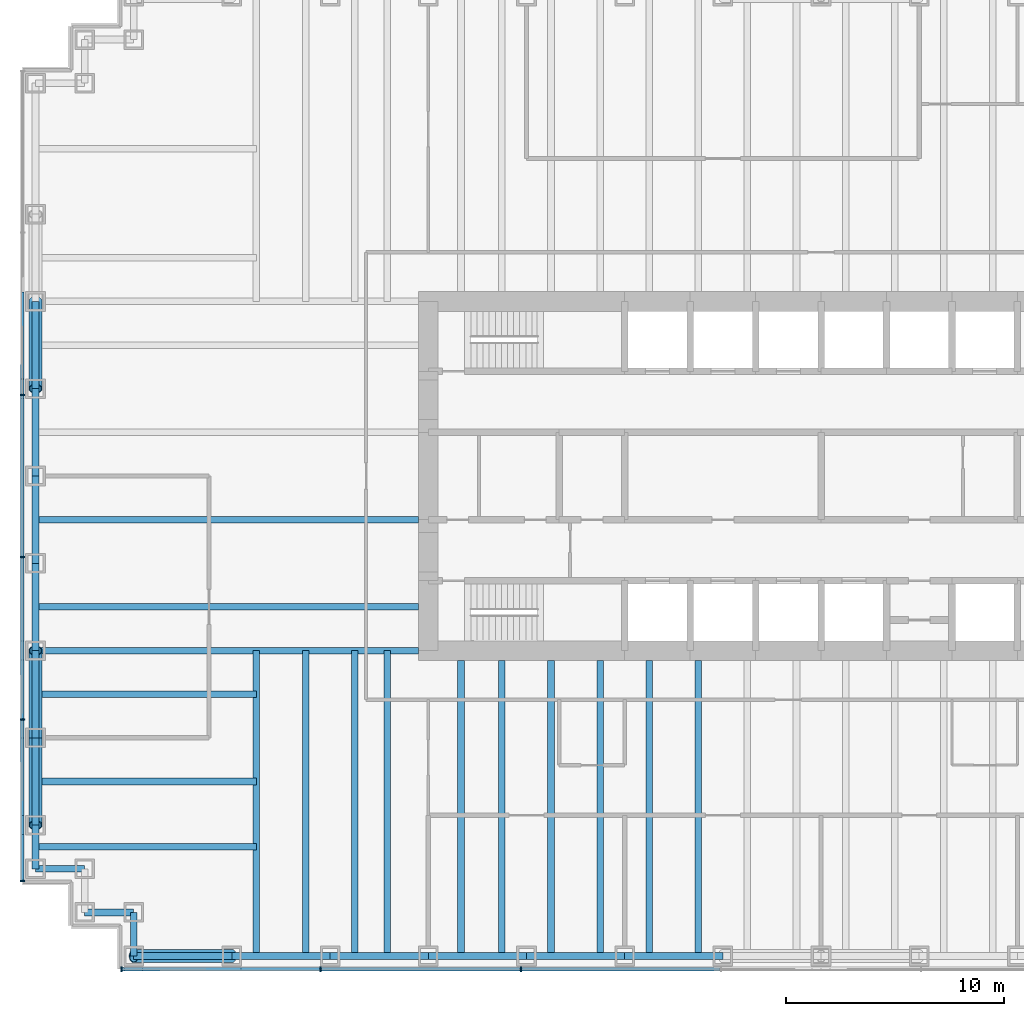
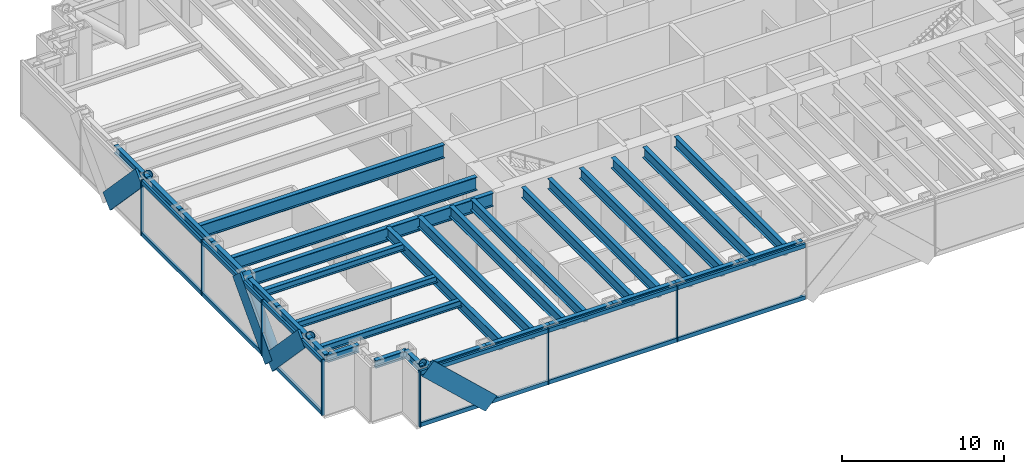
# One storey, part 2 of 15: 32 beams, 27 members, 2 elements without a shape of their own.
"""IFC4 building model written with IfcOpenShell, lengths in metres."""

from ifc_helpers import new_model, si_unit, direction, frame, origin, origin_2d, place, context, subcontext, project, spatial, rectangle, hollow_circle, i_section, extrude, material, material_profile, profile_set, type_object, element, aggregate, save


model = new_model("IFC4")

# Units and contexts
model_context = context("Model", 3, precision=1e-05, world=origin(), true_north=direction((0.0, 1.0)))
body_context = subcontext(model_context, "Body", "Model", "MODEL_VIEW")
ifc_project = project(units=[si_unit("LENGTHUNIT", "METRE"), si_unit("AREAUNIT", "SQUARE_METRE"), si_unit("VOLUMEUNIT", "CUBIC_METRE"), si_unit("PLANEANGLEUNIT", "RADIAN"), si_unit("MASSUNIT", "GRAM", prefix="KILO")], contexts=[model_context])

# Site, building, storey
site_placement = place(None, origin())
site = spatial("IfcSite", under=ifc_project, at=site_placement, CompositionType="ELEMENT")
building_placement = place(site_placement, origin())
building = spatial("IfcBuilding", under=site, at=building_placement, Name="Rheinbord Bourse Tower", CompositionType="ELEMENT")
storey_placement = place(building_placement, frame((0.0, 0.0, 150.89990234375)))
storey = spatial("IfcBuildingStorey", under=building, at=storey_placement, Name="L33", CompositionType="ELEMENT", Elevation=150.89990234375)

# Curtain wall, member
ifc_material_1 = material(Name="Dark glass and black aluminium", Category="aluminium")
curtain_wall_type = type_object("IfcCurtainWallType", Name="CW2 DARK GLASS CURTAIN WALL", PredefinedType="USERDEFINED", material=ifc_material_1)
curtain_wall_1_placement = place(storey_placement, origin())
curtain_wall_1 = element("IfcCurtainWall", 1, at=curtain_wall_1_placement, inside=storey, type_object=curtain_wall_type, Name="Curtain wall CW2 S L33", ObjectType="UNITISED CURTAIN WALL", PredefinedType="USERDEFINED")
ifc_material_2 = material(Name="Black anodised aluminium", Category="aluminium")
ifc_material_profile_1 = material_profile(ifc_material_2, rectangle(XDim=0.159912109375, YDim=1.2099609375, at=origin_2d()), Name="CW2 DIAGONAL MULLION 1210x160")
ifc_profile_set_1 = profile_set([ifc_material_profile_1], Name="Black anodised aluminium")
member_type_1 = type_object("IfcMemberType", Name="CW2 BLACK DIAGONAL MULLION", PredefinedType="USERDEFINED", material=ifc_profile_set_1)
member_1_placement = place(storey_placement, frame((9.0, 1.39990234375, 0.0), z_axis=(-0.731039441158, 0.0, 0.682335207557), x_axis=(0.0, -1.0, 0.0)))
member_1 = element("IfcMember", 2, at=member_1_placement, type_object=member_type_1, Name="CW2 diagonal mullion d", ObjectType="DIAGONAL MULLION", PredefinedType="USERDEFINED", context=body_context, shape_type="SweptSolid", body=[
    extrude(rectangle(XDim=0.159912109375, YDim=1.2099609375, at=origin_2d()), origin(), (0.0, 0.0, 1.0), 6.155517578125),
])

# Curtain wall, members
curtain_wall_2_placement = place(storey_placement, origin())
curtain_wall_2 = element("IfcCurtainWall", 3, at=curtain_wall_2_placement, inside=storey, type_object=curtain_wall_type, Name="Curtain wall CW2 W L33", ObjectType="UNITISED CURTAIN WALL", PredefinedType="USERDEFINED")
member_2_placement = place(storey_placement, frame((-0.60009765625, 12.0, 0.0), z_axis=(0.0, -0.689638355374, 0.72415394689), x_axis=(1.0, 0.0, 0.0)))
member_2 = element("IfcMember", 4, at=member_2_placement, type_object=member_type_1, Name="CW2 diagonal mullion a", ObjectType="DIAGONAL MULLION", PredefinedType="USERDEFINED", context=body_context, shape_type="SweptSolid", body=[
    extrude(rectangle(XDim=0.159912109375, YDim=1.2099609375, at=origin_2d()), origin(), (0.0, 0.0, 1.0), 5.800048828125),
])
member_3_placement = place(storey_placement, frame((-0.60009765625, 12.0, 0.0), z_axis=(0.0, 0.689638355374, 0.72415394689), x_axis=(-1.0, 0.0, 0.0)))
member_3 = element("IfcMember", 5, at=member_3_placement, type_object=member_type_1, Name="CW2 diagonal mullion c", ObjectType="DIAGONAL MULLION", PredefinedType="USERDEFINED", context=body_context, shape_type="SweptSolid", body=[
    extrude(rectangle(XDim=0.159912109375, YDim=1.2099609375, at=origin_2d()), origin(), (0.0, 0.0, 1.0), 5.800048828125),
])
member_4_placement = place(storey_placement, frame((-0.60009765625, 32.0, 0.0), z_axis=(0.0, -0.689638355374, 0.72415394689), x_axis=(1.0, 0.0, 0.0)))
member_4 = element("IfcMember", 6, at=member_4_placement, type_object=member_type_1, Name="CW2 diagonal mullion d", ObjectType="DIAGONAL MULLION", PredefinedType="USERDEFINED", context=body_context, shape_type="SweptSolid", body=[
    extrude(rectangle(XDim=0.159912109375, YDim=1.2099609375, at=origin_2d()), origin(), (0.0, 0.0, 1.0), 5.800048828125),
])

# Member
ifc_material_3 = material(Name="Black anodised aluminium", Category="aluminium")
ifc_material_profile_2 = material_profile(ifc_material_3, rectangle(XDim=0.219970703125, YDim=0.070068359375, at=origin_2d()), Name="CW2 MULLION 70x220")
ifc_profile_set_2 = profile_set([ifc_material_profile_2], Name="Black anodised aluminium")
member_type_2 = type_object("IfcMemberType", Name="CW2 BLACK MULLION", PredefinedType="MULLION", material=ifc_profile_set_2)
member_5_placement = place(storey_placement, frame((3.93505859375, 1.39990234375, 0.0), z_axis=(0.0, 0.0, 1.0), x_axis=(0.0, 1.0, 0.0)))
member_5 = element("IfcMember", 7, at=member_5_placement, type_object=member_type_2, Name="CW2 mullion 1", PredefinedType="MULLION", context=body_context, shape_type="SweptSolid", body=[
    extrude(rectangle(XDim=0.219970703125, YDim=0.070068359375, at=origin_2d()), origin(), (0.0, 0.0, 1.0), 4.2001953125),
])

member_6_placement = place(storey_placement, frame((13.071533203125, 1.39990234375, 0.0), z_axis=(0.0, 0.0, 1.0), x_axis=(0.0, 1.0, 0.0)))
member_6 = element("IfcMember", 8, at=member_6_placement, type_object=member_type_2, Name="CW2 mullion 2", PredefinedType="MULLION", context=body_context, shape_type="SweptSolid", body=[
    extrude(rectangle(XDim=0.219970703125, YDim=0.070068359375, at=origin_2d()), origin(), (0.0, 0.0, 1.0), 4.2001953125),
])

member_7_placement = place(storey_placement, frame((22.242919921875, 1.39990234375, 0.0), z_axis=(0.0, 0.0, 1.0), x_axis=(0.0, 1.0, 0.0)))
member_7 = element("IfcMember", 9, at=member_7_placement, type_object=member_type_2, Name="CW2 mullion 3", PredefinedType="MULLION", context=body_context, shape_type="SweptSolid", body=[
    extrude(rectangle(XDim=0.219970703125, YDim=0.070068359375, at=origin_2d()), origin(), (0.0, 0.0, 1.0), 4.2001953125),
])

member_8_placement = place(storey_placement, frame((-0.60009765625, 27.719970703125, 0.0), z_axis=(0.0, 0.0, 1.0), x_axis=(1.0, 0.0, 0.0)))
member_8 = element("IfcMember", 10, at=member_8_placement, type_object=member_type_2, Name="CW2 mullion 3", PredefinedType="MULLION", context=body_context, shape_type="SweptSolid", body=[
    extrude(rectangle(XDim=0.219970703125, YDim=0.070068359375, at=origin_2d()), origin(), (0.0, 0.0, 1.0), 4.2001953125),
])

member_9_placement = place(storey_placement, frame((-0.60009765625, 20.280029296875, 0.0), z_axis=(0.0, 0.0, 1.0), x_axis=(1.0, 0.0, 0.0)))
member_9 = element("IfcMember", 11, at=member_9_placement, type_object=member_type_2, Name="CW2 mullion 4", PredefinedType="MULLION", context=body_context, shape_type="SweptSolid", body=[
    extrude(rectangle(XDim=0.219970703125, YDim=0.070068359375, at=origin_2d()), origin(), (0.0, 0.0, 1.0), 4.2001953125),
])

member_10_placement = place(storey_placement, frame((-0.60009765625, 12.840087890625, 0.0), z_axis=(0.0, 0.0, 1.0), x_axis=(1.0, 0.0, 0.0)))
member_10 = element("IfcMember", 12, at=member_10_placement, type_object=member_type_2, Name="CW2 mullion 5", PredefinedType="MULLION", context=body_context, shape_type="SweptSolid", body=[
    extrude(rectangle(XDim=0.219970703125, YDim=0.070068359375, at=origin_2d()), origin(), (0.0, 0.0, 1.0), 4.2001953125),
])

member_11_placement = place(storey_placement, frame((-0.60009765625, 5.43505859375, 0.0), z_axis=(0.0, 0.0, 1.0), x_axis=(1.0, 0.0, 0.0)))
member_11 = element("IfcMember", 13, at=member_11_placement, type_object=member_type_2, Name="CW2 mullion 6", PredefinedType="MULLION", context=body_context, shape_type="SweptSolid", body=[
    extrude(rectangle(XDim=0.219970703125, YDim=0.070068359375, at=origin_2d()), origin(), (0.0, 0.0, 1.0), 4.2001953125),
])

ifc_material_4 = material(Name="Black anodised aluminium", Category="aluminium")
ifc_material_profile_3 = material_profile(ifc_material_4, rectangle(XDim=0.159912109375, YDim=0.300048828125, at=origin_2d()), Name="CW2 TRANSOM 300x160")
ifc_profile_set_3 = profile_set([ifc_material_profile_3], Name="Black anodised aluminium")
member_type_3 = type_object("IfcMemberType", Name="CW2 BLACK TRANSOM", PredefinedType="USERDEFINED", material=ifc_profile_set_3)
member_12_placement = place(storey_placement, frame((3.969970703125, 1.39990234375, 0.150146484375), z_axis=(1.0, 0.0, 0.0), x_axis=(0.0, 1.0, 0.0)))
member_12 = element("IfcMember", 14, at=member_12_placement, type_object=member_type_3, Name="CW2 transom 1.1", ObjectType="TRANSOM", PredefinedType="USERDEFINED", context=body_context, shape_type="SweptSolid", body=[
    extrude(rectangle(XDim=0.159912109375, YDim=0.300048828125, at=origin_2d()), origin(), (0.0, 0.0, 1.0), 9.06640625),
])

member_13_placement = place(storey_placement, frame((3.969970703125, 1.39990234375, 4.050048828125), z_axis=(1.0, 0.0, 0.0), x_axis=(0.0, 1.0, 0.0)))
member_13 = element("IfcMember", 15, at=member_13_placement, type_object=member_type_3, Name="CW2 transom 1.2", ObjectType="TRANSOM", PredefinedType="USERDEFINED", context=body_context, shape_type="SweptSolid", body=[
    extrude(rectangle(XDim=0.159912109375, YDim=0.300048828125, at=origin_2d()), origin(), (0.0, 0.0, 1.0), 9.06640625),
])

member_14_placement = place(storey_placement, frame((13.1064453125, 1.39990234375, 0.150146484375), z_axis=(1.0, 0.0, 0.0), x_axis=(0.0, 1.0, 0.0)))
member_14 = element("IfcMember", 16, at=member_14_placement, type_object=member_type_3, Name="CW2 transom 2.1", ObjectType="TRANSOM", PredefinedType="USERDEFINED", context=body_context, shape_type="SweptSolid", body=[
    extrude(rectangle(XDim=0.159912109375, YDim=0.300048828125, at=origin_2d()), origin(), (0.0, 0.0, 1.0), 9.101318359375),
])

member_15_placement = place(storey_placement, frame((13.1064453125, 1.39990234375, 4.050048828125), z_axis=(1.0, 0.0, 0.0), x_axis=(0.0, 1.0, 0.0)))
member_15 = element("IfcMember", 17, at=member_15_placement, type_object=member_type_3, Name="CW2 transom 2.2", ObjectType="TRANSOM", PredefinedType="USERDEFINED", context=body_context, shape_type="SweptSolid", body=[
    extrude(rectangle(XDim=0.159912109375, YDim=0.300048828125, at=origin_2d()), origin(), (0.0, 0.0, 1.0), 9.101318359375),
])

member_16_placement = place(storey_placement, frame((22.27783203125, 1.39990234375, 0.150146484375), z_axis=(1.0, 0.0, 0.0), x_axis=(0.0, 1.0, 0.0)))
member_16 = element("IfcMember", 18, at=member_16_placement, type_object=member_type_3, Name="CW2 transom 3.1", ObjectType="TRANSOM", PredefinedType="USERDEFINED", context=body_context, shape_type="SweptSolid", body=[
    extrude(rectangle(XDim=0.159912109375, YDim=0.300048828125, at=origin_2d()), origin(), (0.0, 0.0, 1.0), 9.1015625),
])

member_17_placement = place(storey_placement, frame((22.27783203125, 1.39990234375, 4.050048828125), z_axis=(1.0, 0.0, 0.0), x_axis=(0.0, 1.0, 0.0)))
member_17 = element("IfcMember", 19, at=member_17_placement, type_object=member_type_3, Name="CW2 transom 3.2", ObjectType="TRANSOM", PredefinedType="USERDEFINED", context=body_context, shape_type="SweptSolid", body=[
    extrude(rectangle(XDim=0.159912109375, YDim=0.300048828125, at=origin_2d()), origin(), (0.0, 0.0, 1.0), 9.1015625),
])

aggregate(curtain_wall_1, [member_5, member_6, member_7, member_12, member_13, member_14, member_15, member_16, member_17, member_1])

member_18_placement = place(storey_placement, frame((-0.60009765625, 27.68505859375, 0.150146484375), z_axis=(0.0, -1.0, 0.0), x_axis=(1.0, 0.0, 0.0)))
member_18 = element("IfcMember", 20, at=member_18_placement, type_object=member_type_3, Name="CW2 transom 3.1", ObjectType="TRANSOM", PredefinedType="USERDEFINED", context=body_context, shape_type="SweptSolid", body=[
    extrude(rectangle(XDim=0.159912109375, YDim=0.300048828125, at=origin_2d()), origin(), (0.0, 0.0, 1.0), 7.3701171875),
])

member_19_placement = place(storey_placement, frame((-0.60009765625, 27.68505859375, 4.050048828125), z_axis=(0.0, -1.0, 0.0), x_axis=(1.0, 0.0, 0.0)))
member_19 = element("IfcMember", 21, at=member_19_placement, type_object=member_type_3, Name="CW2 transom 3.2", ObjectType="TRANSOM", PredefinedType="USERDEFINED", context=body_context, shape_type="SweptSolid", body=[
    extrude(rectangle(XDim=0.159912109375, YDim=0.300048828125, at=origin_2d()), origin(), (0.0, 0.0, 1.0), 7.3701171875),
])

member_20_placement = place(storey_placement, frame((-0.60009765625, 20.2451171875, 0.150146484375), z_axis=(0.0, -1.0, 0.0), x_axis=(1.0, 0.0, 0.0)))
member_20 = element("IfcMember", 22, at=member_20_placement, type_object=member_type_3, Name="CW2 transom 4.1", ObjectType="TRANSOM", PredefinedType="USERDEFINED", context=body_context, shape_type="SweptSolid", body=[
    extrude(rectangle(XDim=0.159912109375, YDim=0.300048828125, at=origin_2d()), origin(), (0.0, 0.0, 1.0), 7.3701171875),
])

member_21_placement = place(storey_placement, frame((-0.60009765625, 20.2451171875, 4.050048828125), z_axis=(0.0, -1.0, 0.0), x_axis=(1.0, 0.0, 0.0)))
member_21 = element("IfcMember", 23, at=member_21_placement, type_object=member_type_3, Name="CW2 transom 4.2", ObjectType="TRANSOM", PredefinedType="USERDEFINED", context=body_context, shape_type="SweptSolid", body=[
    extrude(rectangle(XDim=0.159912109375, YDim=0.300048828125, at=origin_2d()), origin(), (0.0, 0.0, 1.0), 7.3701171875),
])

member_22_placement = place(storey_placement, frame((-0.60009765625, 12.804931640625, 0.150146484375), z_axis=(0.0, -1.0, 0.0), x_axis=(1.0, 0.0, 0.0)))
member_22 = element("IfcMember", 24, at=member_22_placement, type_object=member_type_3, Name="CW2 transom 5.1", ObjectType="TRANSOM", PredefinedType="USERDEFINED", context=body_context, shape_type="SweptSolid", body=[
    extrude(rectangle(XDim=0.159912109375, YDim=0.300048828125, at=origin_2d()), origin(), (0.0, 0.0, 1.0), 7.3349609375),
])

member_23_placement = place(storey_placement, frame((-0.60009765625, 12.804931640625, 4.050048828125), z_axis=(0.0, -1.0, 0.0), x_axis=(1.0, 0.0, 0.0)))
member_23 = element("IfcMember", 25, at=member_23_placement, type_object=member_type_3, Name="CW2 transom 5.2", ObjectType="TRANSOM", PredefinedType="USERDEFINED", context=body_context, shape_type="SweptSolid", body=[
    extrude(rectangle(XDim=0.159912109375, YDim=0.300048828125, at=origin_2d()), origin(), (0.0, 0.0, 1.0), 7.3349609375),
])

aggregate(curtain_wall_2, [member_8, member_9, member_10, member_11, member_18, member_19, member_20, member_21, member_22, member_23, member_2, member_3, member_4])

# Beams
ifc_material_5 = material(Name="Steel S460", Category="steel")
ifc_material_profile_4 = material_profile(ifc_material_5, i_section(OverallWidth=0.302001953125, OverallDepth=1.008056640625, WebThickness=0.02099609375, FlangeThickness=0.0400390625, at=origin_2d()), Name="HEM 1000")
ifc_profile_set_4 = profile_set([ifc_material_profile_4], Name="Steel S460")
beam_type_1 = type_object("IfcBeamType", Name="END BEAM HEM 1000", PredefinedType="BEAM", material=ifc_profile_set_4)
for number, where, z_axis, x_axis, name in (
    (26, (0.0, 18.0, 3.5361328125), (1.0, 0.0, 0.0), (0.0, 1.0, 0.0), "End beam west 18 L34"),
    (27, (0.0, 22.0, 3.5361328125), (1.0, 0.0, 0.0), (0.0, 1.0, 0.0), "End beam west 22 L34"),
):
    element("IfcBeam", number, at=place(storey_placement, frame(where, z_axis=z_axis, x_axis=x_axis)), inside=storey, type_object=beam_type_1, Name=name, PredefinedType="BEAM", context=body_context, shape_type="SweptSolid", body=[
        extrude(i_section(OverallWidth=0.302001953125, OverallDepth=1.008056640625, WebThickness=0.02099609375, FlangeThickness=0.0400390625, at=origin_2d()), origin(), (0.0, 0.0, 1.0), 17.550048828125),
    ])
ifc_material_6 = material(Name="Steel S460", Category="steel")
ifc_material_profile_5 = material_profile(ifc_material_6, i_section(OverallWidth=0.300048828125, OverallDepth=0.800048828125, WebThickness=0.017578125, FlangeThickness=0.032958984375, at=origin_2d()), Name="HEB 800")
ifc_profile_set_5 = profile_set([ifc_material_profile_5], Name="Steel S460")
beam_type_2 = type_object("IfcBeamType", Name="FLOOR BEAM HEB 800", PredefinedType="BEAM", material=ifc_profile_set_5)
for number, where, z_axis, x_axis, name in (
    (28, (10.125, 2.0, 3.64013671875), (0.0, 1.0, 0.0), (-1.0, 0.0, 0.0), "Floor beam S-9a L34"),
    (29, (12.375, 2.0, 3.64013671875), (0.0, 1.0, 0.0), (-1.0, 0.0, 0.0), "Floor beam S-9b L34"),
    (30, (14.625, 2.0, 3.64013671875), (0.0, 1.0, 0.0), (-1.0, 0.0, 0.0), "Floor beam S-13.5a L34"),
    (31, (16.125, 2.0, 3.64013671875), (0.0, 1.0, 0.0), (-1.0, 0.0, 0.0), "Floor beam S-13.5b L34"),
):
    element("IfcBeam", number, at=place(storey_placement, frame(where, z_axis=z_axis, x_axis=x_axis)), inside=storey, type_object=beam_type_2, Name=name, PredefinedType="BEAM", context=body_context, shape_type="SweptSolid", body=[
        extrude(i_section(OverallWidth=0.300048828125, OverallDepth=0.800048828125, WebThickness=0.017578125, FlangeThickness=0.032958984375, at=origin_2d()), origin(), (0.0, 0.0, 1.0), 14.0),
    ])
for number, where, z_axis, x_axis, name in (
    (32, (19.5, 2.0, 3.64013671875), (0.0, 1.0, 0.0), (-1.0, 0.0, 0.0), "Floor beam S-18a L34"),
    (33, (21.375, 2.0, 3.64013671875), (0.0, 1.0, 0.0), (-1.0, 0.0, 0.0), "Floor beam S-18b L34"),
    (34, (23.625, 2.0, 3.64013671875), (0.0, 1.0, 0.0), (-1.0, 0.0, 0.0), "Floor beam S-22.5a L34"),
    (35, (25.875, 2.0, 3.64013671875), (0.0, 1.0, 0.0), (-1.0, 0.0, 0.0), "Floor beam S-22.5b L34"),
    (36, (28.125, 2.0, 3.64013671875), (0.0, 1.0, 0.0), (-1.0, 0.0, 0.0), "Floor beam S-27a L34"),
    (37, (30.375, 2.0, 3.64013671875), (0.0, 1.0, 0.0), (-1.0, 0.0, 0.0), "Floor beam S-27b L34"),
):
    element("IfcBeam", number, at=place(storey_placement, frame(where, z_axis=z_axis, x_axis=x_axis)), inside=storey, type_object=beam_type_2, Name=name, PredefinedType="BEAM", context=body_context, shape_type="SweptSolid", body=[
        extrude(i_section(OverallWidth=0.300048828125, OverallDepth=0.800048828125, WebThickness=0.017578125, FlangeThickness=0.032958984375, at=origin_2d()), origin(), (0.0, 0.0, 1.0), 13.550048828125),
    ])
ifc_material_7 = material(Name="Steel S460", Category="steel")
ifc_material_profile_6 = material_profile(ifc_material_7, i_section(OverallWidth=0.302001953125, OverallDepth=1.008056640625, WebThickness=0.02099609375, FlangeThickness=0.0400390625, at=origin_2d()), Name="HEM 1000")
ifc_profile_set_6 = profile_set([ifc_material_profile_6], Name="Steel S460")
beam_type_3 = type_object("IfcBeamType", Name="GIRDER HEM 1000", PredefinedType="BEAM", material=ifc_profile_set_6)
beam_1_placement = place(storey_placement, frame((0.0, 16.0, 3.5361328125), z_axis=(1.0, 0.0, 0.0), x_axis=(0.0, 1.0, 0.0)))
element("IfcBeam", 38, at=beam_1_placement, inside=storey, type_object=beam_type_3, Name="Girder west 16 L34", PredefinedType="BEAM", context=body_context, shape_type="SweptSolid", body=[
    extrude(i_section(OverallWidth=0.302001953125, OverallDepth=1.008056640625, WebThickness=0.02099609375, FlangeThickness=0.0400390625, at=origin_2d()), origin(), (0.0, 0.0, 1.0), 17.550048828125),
])

# Members
ifc_material_8 = material(Name="Steel S460", Category="steel")
ifc_material_profile_7 = material_profile(ifc_material_8, hollow_circle(Radius=0.304931640625, WallThickness=0.0400390625, at=origin_2d()), Name="CHS 610x40")
ifc_profile_set_7 = profile_set([ifc_material_profile_7], Name="Steel S460")
member_type_4 = type_object("IfcMemberType", Name="MEGABRACE CHS 610x40", PredefinedType="BRACE", material=ifc_profile_set_7)
member_24_placement = place(storey_placement, frame((9.0, 2.0, 0.0), z_axis=(-0.731039441158, 0.0, 0.682335207557), x_axis=(0.0, -1.0, 0.0)))
element("IfcMember", 39, at=member_24_placement, inside=storey, type_object=member_type_4, Name="Megabrace S face line d L33", PredefinedType="BRACE", context=body_context, shape_type="SweptSolid", body=[
    extrude(hollow_circle(Radius=0.304931640625, WallThickness=0.0400390625, at=origin_2d()), origin(), (0.0, 0.0, 1.0), 6.155517578125),
])
for number, where, z_axis, x_axis, name in (
    (40, (0.0, 12.0, 0.0), (0.0, -0.689638355374, 0.72415394689), (1.0, 0.0, 0.0), "Megabrace W face line a L33"),
    (41, (0.0, 12.0, 0.0), (0.0, 0.689638355374, 0.72415394689), (-1.0, 0.0, 0.0), "Megabrace W face line c L33"),
    (42, (0.0, 32.0, 0.0), (0.0, -0.689638355374, 0.72415394689), (1.0, 0.0, 0.0), "Megabrace W face line d L33"),
):
    element("IfcMember", number, at=place(storey_placement, frame(where, z_axis=z_axis, x_axis=x_axis)), inside=storey, type_object=member_type_4, Name=name, PredefinedType="BRACE", context=body_context, shape_type="SweptSolid", body=[
        extrude(hollow_circle(Radius=0.304931640625, WallThickness=0.0400390625, at=origin_2d()), origin(), (0.0, 0.0, 1.0), 5.800048828125),
    ])

# Beams
ifc_material_9 = material(Name="Steel S460", Category="steel")
ifc_material_profile_8 = material_profile(ifc_material_9, i_section(OverallWidth=0.305908203125, OverallDepth=0.572021484375, WebThickness=0.02099609375, FlangeThickness=0.0400390625, at=origin_2d()), Name="HEM 550")
ifc_profile_set_8 = profile_set([ifc_material_profile_8], Name="Steel S460")
beam_type_4 = type_object("IfcBeamType", Name="SPANDREL HEM 550", PredefinedType="SPANDREL", material=ifc_profile_set_8)
for number, where, z_axis, x_axis, name in (
    (43, (4.5, 2.0, 3.754150390625), (1.0, 0.0, 0.0), (0.0, 1.0, 0.0), "Spandrel SW-E-S-9 under L34"),
    (44, (9.0, 2.0, 3.754150390625), (1.0, 0.0, 0.0), (0.0, 1.0, 0.0), "Spandrel S-9-S-13.5 under L34"),
    (45, (13.5, 2.0, 3.754150390625), (1.0, 0.0, 0.0), (0.0, 1.0, 0.0), "Spandrel S-13.5-S-18 under L34"),
    (46, (18.0, 2.0, 3.754150390625), (1.0, 0.0, 0.0), (0.0, 1.0, 0.0), "Spandrel S-18-S-22.5 under L34"),
    (47, (22.5, 2.0, 3.754150390625), (1.0, 0.0, 0.0), (0.0, 1.0, 0.0), "Spandrel S-22.5-S-27 under L34"),
    (48, (27.0, 2.0, 3.754150390625), (1.0, 0.0, 0.0), (0.0, 1.0, 0.0), "Spandrel S-27-S-31.5 under L34"),
):
    element("IfcBeam", number, at=place(storey_placement, frame(where, z_axis=z_axis, x_axis=x_axis)), inside=storey, type_object=beam_type_4, Name=name, PredefinedType="SPANDREL", context=body_context, shape_type="SweptSolid", body=[
        extrude(i_section(OverallWidth=0.305908203125, OverallDepth=0.572021484375, WebThickness=0.02099609375, FlangeThickness=0.0400390625, at=origin_2d()), origin(), (0.0, 0.0, 1.0), 4.5),
    ])
for number, where, z_axis, x_axis, name in (
    (49, (0.0, 32.0, 3.754150390625), (0.0, -1.0, 0.0), (1.0, 0.0, 0.0), "Spandrel W-32-W-28 under L34"),
    (50, (0.0, 28.0, 3.754150390625), (0.0, -1.0, 0.0), (1.0, 0.0, 0.0), "Spandrel W-28-W-24 under L34"),
    (51, (0.0, 24.0, 3.754150390625), (0.0, -1.0, 0.0), (1.0, 0.0, 0.0), "Spandrel W-24-W-20 under L34"),
    (52, (0.0, 20.0, 3.754150390625), (0.0, -1.0, 0.0), (1.0, 0.0, 0.0), "Spandrel W-20-W-16 under L34"),
    (53, (0.0, 16.0, 3.754150390625), (0.0, -1.0, 0.0), (1.0, 0.0, 0.0), "Spandrel W-16-W-12 under L34"),
    (54, (0.0, 12.0, 3.754150390625), (0.0, -1.0, 0.0), (1.0, 0.0, 0.0), "Spandrel W-12-W-8 under L34"),
):
    element("IfcBeam", number, at=place(storey_placement, frame(where, z_axis=z_axis, x_axis=x_axis)), inside=storey, type_object=beam_type_4, Name=name, PredefinedType="SPANDREL", context=body_context, shape_type="SweptSolid", body=[
        extrude(i_section(OverallWidth=0.305908203125, OverallDepth=0.572021484375, WebThickness=0.02099609375, FlangeThickness=0.0400390625, at=origin_2d()), origin(), (0.0, 0.0, 1.0), 4.0),
    ])
beam_2_placement = place(storey_placement, frame((0.0, 8.0, 3.754150390625), z_axis=(0.0, -1.0, 0.0), x_axis=(1.0, 0.0, 0.0)))
element("IfcBeam", 55, at=beam_2_placement, inside=storey, type_object=beam_type_4, Name="Spandrel W-8-SW-A under L34", PredefinedType="SPANDREL", context=body_context, shape_type="SweptSolid", body=[
    extrude(i_section(OverallWidth=0.305908203125, OverallDepth=0.572021484375, WebThickness=0.02099609375, FlangeThickness=0.0400390625, at=origin_2d()), origin(), (0.0, 0.0, 1.0), 2.0),
])
for number, where, z_axis, x_axis, name in (
    (56, (0.0, 6.0, 3.754150390625), (1.0, 0.0, 0.0), (0.0, 1.0, 0.0), "Spandrel SW-A-SW-B under L34"),
    (57, (2.25, 4.0, 3.754150390625), (1.0, 0.0, 0.0), (0.0, 1.0, 0.0), "Spandrel SW-C-SW-D under L34"),
):
    element("IfcBeam", number, at=place(storey_placement, frame(where, z_axis=z_axis, x_axis=x_axis)), inside=storey, type_object=beam_type_4, Name=name, PredefinedType="SPANDREL", context=body_context, shape_type="SweptSolid", body=[
        extrude(i_section(OverallWidth=0.305908203125, OverallDepth=0.572021484375, WebThickness=0.02099609375, FlangeThickness=0.0400390625, at=origin_2d()), origin(), (0.0, 0.0, 1.0), 2.25),
    ])
beam_3_placement = place(storey_placement, frame((4.5, 4.0, 3.754150390625), z_axis=(0.0, -1.0, 0.0), x_axis=(1.0, 0.0, 0.0)))
element("IfcBeam", 58, at=beam_3_placement, inside=storey, type_object=beam_type_4, Name="Spandrel SW-D-SW-E under L34", PredefinedType="SPANDREL", context=body_context, shape_type="SweptSolid", body=[
    extrude(i_section(OverallWidth=0.305908203125, OverallDepth=0.572021484375, WebThickness=0.02099609375, FlangeThickness=0.0400390625, at=origin_2d()), origin(), (0.0, 0.0, 1.0), 2.0),
])
ifc_material_10 = material(Name="Steel S460", Category="steel")
ifc_material_profile_9 = material_profile(ifc_material_10, i_section(OverallWidth=0.300048828125, OverallDepth=0.5, WebThickness=0.014404296875, FlangeThickness=0.028076171875, at=origin_2d()), Name="HEB 500")
ifc_profile_set_9 = profile_set([ifc_material_profile_9], Name="Steel S460")
beam_type_5 = type_object("IfcBeamType", Name="TIE BEAM HEB 500", PredefinedType="JOIST", material=ifc_profile_set_9)
for number, where, z_axis, x_axis, name in (
    (59, (0.0, 7.0, 3.7900390625), (1.0, 0.0, 0.0), (0.0, 1.0, 0.0), "Tie west 7 L34"),
    (60, (0.0, 10.0, 3.7900390625), (1.0, 0.0, 0.0), (0.0, 1.0, 0.0), "Tie west 10 L34"),
    (61, (0.0, 14.0, 3.7900390625), (1.0, 0.0, 0.0), (0.0, 1.0, 0.0), "Tie west 14 L34"),
):
    element("IfcBeam", number, at=place(storey_placement, frame(where, z_axis=z_axis, x_axis=x_axis)), inside=storey, type_object=beam_type_5, Name=name, PredefinedType="JOIST", context=body_context, shape_type="SweptSolid", body=[
        extrude(i_section(OverallWidth=0.300048828125, OverallDepth=0.5, WebThickness=0.014404296875, FlangeThickness=0.028076171875, at=origin_2d()), origin(), (0.0, 0.0, 1.0), 10.125),
    ])

save(model, "model.ifc")
